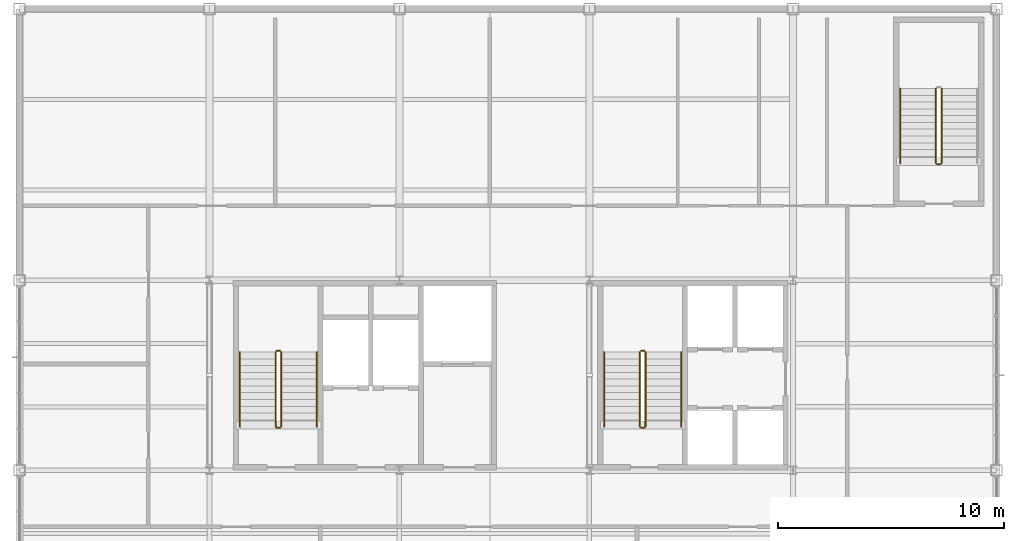
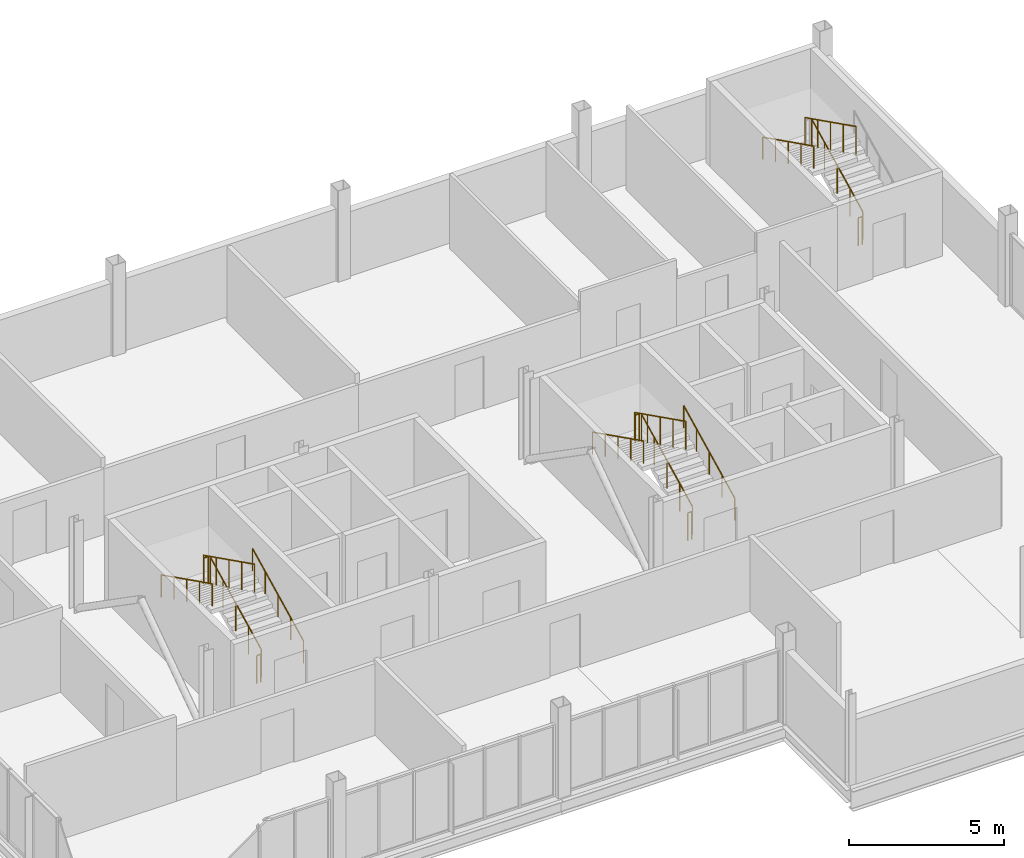
# One storey, part 15 of 16: 16 railings.
"""IFC4 building model written with IfcOpenShell, lengths in metres."""

import ifcopenshell
import ifcopenshell.guid

model = None  # the IFC model being written
_history = None  # IfcOwnerHistory: only IFC2X3 demands one
_inside = {}  # id of a spatial element -> (the spatial element, [elements in it])
_under = {}  # id of a project, library or spatial element -> (it, [spatial elements below it])
_declared = {}  # id of a project -> (the project, [libraries it declares])
_typed = {}  # id of a type object -> (the type object, [elements of that type])
_made_of = {}  # id of a material, layer set ... -> (it, [elements and type objects made of it])


def new_model(schema):
    """Start an empty IFC model of exactly this schema.

    Asked for "IFC4X3", IfcOpenShell would pick the latest addendum, in which some entities
    have other attributes; the version numbers below select the first issue.
    IFC2X3 requires an IfcOwnerHistory on every rooted entity: one is made here for all.
    """
    global model, _history
    if schema == "IFC4X3":
        model = ifcopenshell.file(schema_version=(4, 3, 0, 0))
    else:
        model = ifcopenshell.file(schema=schema)
    _inside.clear()
    _under.clear()
    _declared.clear()
    _typed.clear()
    _made_of.clear()
    _history = None
    if model.schema == "IFC2X3":
        org = make("IfcOrganization", Name="unknown")
        user = make(
            "IfcPersonAndOrganization",
            ThePerson=make("IfcPerson", FamilyName="unknown"),
            TheOrganization=org,
        )
        app = make(
            "IfcApplication",
            ApplicationDeveloper=org,
            Version="unknown",
            ApplicationFullName="unknown",
            ApplicationIdentifier="unknown",
        )
        _history = make(
            "IfcOwnerHistory",
            OwningUser=user,
            OwningApplication=app,
            ChangeAction="ADDED",
            CreationDate=0,
        )
    return model


def make(cls, **values):
    """One entity of the class cls with the attributes given. An attribute that is None is left unset."""
    return model.create_entity(
        cls, **{name: value for name, value in values.items() if value is not None}
    )


def rooted(cls, **values):
    """An entity with a GlobalId (a new one), such as an element, a storey or a relation."""
    return make(cls, GlobalId=ifcopenshell.guid.new(), OwnerHistory=_history, **values)


def si_unit(unit_type, name, prefix=None):
    """IfcSIUnit, for example si_unit("LENGTHUNIT", "METRE", prefix="MILLI")."""
    return make("IfcSIUnit", UnitType=unit_type, Prefix=prefix, Name=name)


def assignment(units):
    """IfcUnitAssignment: the units of a project."""
    return None if units is None else make("IfcUnitAssignment", Units=units)


def point(xyz):
    """IfcCartesianPoint."""
    return None if xyz is None else make("IfcCartesianPoint", Coordinates=xyz)


def direction(xyz):
    """IfcDirection."""
    return None if xyz is None else make("IfcDirection", DirectionRatios=xyz)


def frame(location, z_axis=None, x_axis=None):
    """IfcAxis2Placement3D, a coordinate frame: its origin and axes. An axis left out is left unset."""
    return make(
        "IfcAxis2Placement3D",
        Location=point(location),
        Axis=direction(z_axis),
        RefDirection=direction(x_axis),
    )


def frame_2d(location, x_axis=None):
    """IfcAxis2Placement2D, a coordinate frame in the plane: its origin and x axis."""
    return make(
        "IfcAxis2Placement2D", Location=point(location), RefDirection=direction(x_axis)
    )


def origin():
    """The frame at (0, 0, 0) with its axes left unset."""
    return frame((0.0, 0.0, 0.0))


def origin_2d():
    """The frame at (0, 0) in the plane with its x axis left unset."""
    return frame_2d((0.0, 0.0))


def place(relative_to, where):
    """IfcLocalPlacement: puts the frame where relative to a parent placement (None: the world)."""
    return make(
        "IfcLocalPlacement", PlacementRelTo=relative_to, RelativePlacement=where
    )


def context(
    kind, dimensions, precision=None, world=None, true_north=None, identifier=None
):
    """IfcGeometricRepresentationContext, for example the 3D "Model" context."""
    return make(
        "IfcGeometricRepresentationContext",
        ContextIdentifier=identifier,
        ContextType=kind,
        CoordinateSpaceDimension=dimensions,
        Precision=precision,
        WorldCoordinateSystem=world,
        TrueNorth=true_north,
    )


def subcontext(parent, identifier, kind, view, scale=None):
    """IfcGeometricRepresentationSubContext, for example "Body" below "Model"."""
    return make(
        "IfcGeometricRepresentationSubContext",
        ContextIdentifier=identifier,
        ContextType=kind,
        ParentContext=parent,
        TargetScale=scale,
        TargetView=view,
    )


def project(units=None, contexts=None):
    """IfcProject with its units and contexts."""
    return rooted(
        "IfcProject",
        Name="project",
        RepresentationContexts=contexts,
        UnitsInContext=assignment(units),
    )


def spatial(cls, under=None, at=None, **own):
    """A site, building, storey or space (cls), placed at a placement, below another one or the project."""
    s = rooted(cls, ObjectPlacement=at, **own)
    if under is not None:
        _under.setdefault(under.id(), (under, []))[1].append(s)
    return s


def profile(cls, at=None, kind="AREA", **sizes):
    """A parametric profile (cls). Its sizes go by their IFC names, for example OverallWidth=200.0."""
    return make(cls, ProfileType=kind, Position=at, **sizes)


def circle(**sizes):
    """IfcCircleProfileDef."""
    return profile("IfcCircleProfileDef", **sizes)


def extrude(swept, where, along, depth):
    """IfcExtrudedAreaSolid: the profile swept, set in the frame where, extruded along a direction by depth."""
    return make(
        "IfcExtrudedAreaSolid",
        SweptArea=swept,
        Position=where,
        ExtrudedDirection=direction(along),
        Depth=depth,
    )


def shape(context_of_items, identifier, shape_type, items):
    """IfcShapeRepresentation: the items that make up one representation, for example the "Body"."""
    return make(
        "IfcShapeRepresentation",
        ContextOfItems=context_of_items,
        RepresentationIdentifier=identifier,
        RepresentationType=shape_type,
        Items=items,
    )


def material(Name=None, Category=None):
    """IfcMaterial."""
    return make("IfcMaterial", Name=Name, Category=Category)


def layer(
    of_material, thickness, ventilated=None, Name=None, Category=None, Priority=None
):
    """IfcMaterialLayer: one layer of a wall or slab, of a material (None: an air gap)."""
    return make(
        "IfcMaterialLayer",
        Material=of_material,
        LayerThickness=thickness,
        IsVentilated=ventilated,
        Name=Name,
        Category=Category,
        Priority=Priority,
    )


def layer_set(layers, Name=None):
    """IfcMaterialLayerSet."""
    return make("IfcMaterialLayerSet", MaterialLayers=layers, LayerSetName=Name)


def made_of(thing, what):
    """Note that an element or type object is made of a material, layer set ...; save() writes the relation."""
    if what is not None:
        _made_of.setdefault(what.id(), (what, []))[1].append(thing)
    return thing


def type_object(cls, material=None, **own):
    """A type object (cls), such as IfcWallType, which elements share."""
    return made_of(rooted(cls, **own), material)


def element(
    cls,
    number,
    at=None,
    inside=None,
    cuts=None,
    type_object=None,
    material=None,
    context=None,
    identifier="Body",
    shape_type=None,
    held_by="IfcProductDefinitionShape",
    body=None,
    shapes=None,
    **own,
):
    """One element of the class cls, such as IfcWall. Its Tag is "e" and its number.

    at: its placement. inside: the storey or other place that contains it. cuts: it is an
    opening in that element (IfcRelVoidsElement). A single representation is given by context,
    identifier, shape_type and body (its items); several are given by shapes. held_by: the class
    of the entity that holds the representations. save() writes the other relations.
    """
    e = rooted(cls, Tag="e%d" % number, ObjectPlacement=at, **own)
    if body is not None:
        shapes = [shape(context, identifier, shape_type, body)]
    if shapes is not None:
        e.Representation = make(held_by, Representations=shapes)
    if inside is not None:
        _inside.setdefault(inside.id(), (inside, []))[1].append(e)
    if cuts is not None:
        rooted(
            "IfcRelVoidsElement", RelatingBuildingElement=cuts, RelatedOpeningElement=e
        )
    if type_object is not None:
        _typed.setdefault(type_object.id(), (type_object, []))[1].append(e)
    return made_of(e, material)


def aggregate(whole, parts):
    """IfcRelAggregates: a whole, such as a stair, and the parts it consists of."""
    return rooted("IfcRelAggregates", RelatingObject=whole, RelatedObjects=parts)


def save(model, path):
    """Write the relations noted so far, then the file.

    IfcRelAggregates (storeys below a building ...), IfcRelContainedInSpatialStructure (elements
    in a storey), IfcRelDefinesByType, IfcRelAssociatesMaterial and IfcRelDeclares: one each for
    every whole, place, type object, material and project.
    """
    for whole, parts in _under.values():
        aggregate(whole, parts)
    for where, things in _inside.values():
        rooted(
            "IfcRelContainedInSpatialStructure",
            RelatedElements=things,
            RelatingStructure=where,
        )
    for kind, things in _typed.values():
        rooted("IfcRelDefinesByType", RelatedObjects=things, RelatingType=kind)
    for what, things in _made_of.values():
        rooted("IfcRelAssociatesMaterial", RelatedObjects=things, RelatingMaterial=what)
    for by, libraries in _declared.values():
        rooted("IfcRelDeclares", RelatingContext=by, RelatedDefinitions=libraries)
    model.write(path)


model = new_model("IFC4")

# Units and contexts
model_context = context("Model", 3, precision=1e-05, world=origin(), true_north=direction((0.0, 1.0)))
body_context = subcontext(model_context, "Body", "Model", "MODEL_VIEW")
ifc_project = project(units=[si_unit("LENGTHUNIT", "METRE"), si_unit("AREAUNIT", "SQUARE_METRE"), si_unit("VOLUMEUNIT", "CUBIC_METRE"), si_unit("PLANEANGLEUNIT", "RADIAN"), si_unit("MASSUNIT", "GRAM", prefix="KILO")], contexts=[model_context])

# Site, building, storey
site_placement = place(None, origin())
site = spatial("IfcSite", under=ifc_project, at=site_placement, CompositionType="ELEMENT")
building_placement = place(site_placement, origin())
building = spatial("IfcBuilding", under=site, at=building_placement, Name="Yukiwa Park Conservatory and Herbarium", CompositionType="ELEMENT")
storey_placement = place(building_placement, frame((0.0, 0.0, 39.60009765625)))
storey = spatial("IfcBuildingStorey", under=building, at=storey_placement, Name="L10", CompositionType="ELEMENT", Elevation=39.60009765625)

# Railings
ifc_material_1 = material(Name="Steel Q235B", Category="steel")
ifc_layer_1 = layer(ifc_material_1, 0.050048828125)
ifc_layer_set_1 = layer_set([ifc_layer_1], Name="Steel Q235B")
railing_type_1 = type_object("IfcRailingType", Name="RL-STAIR-GUARD-1120", PredefinedType="BALUSTRADE", material=ifc_layer_set_1)
railing_1_placement = place(storey_placement, frame((136.3701171875, 96.72998046875, 0.14990234375)))
element("IfcRailing", 1, at=railing_1_placement, inside=storey, type_object=railing_type_1, Name="L10 ST-T1 stair guard 1", PredefinedType="BALUSTRADE", context=body_context, shape_type="SweptSolid", body=[
    extrude(circle(Radius=0.02392578125, at=origin_2d()), frame((0.0, 0.0, 1.09619140625), z_axis=(0.0, 0.894440424912, 0.447187126696), x_axis=(-1.0, 0.0, 0.0)), (0.0, 0.0, 1.0), 3.689453125),
    extrude(circle(Radius=0.02099609375, at=origin_2d()), origin(), (0.0, 0.0, 1.0), 1.072021484375),
    extrude(circle(Radius=0.02099609375, at=origin_2d()), frame((0.0, 0.824951171875, 0.41259765625)), (0.0, 0.0, 1.0), 1.072021484375),
    extrude(circle(Radius=0.02099609375, at=origin_2d()), frame((0.0, 1.64990234375, 0.824951171875)), (0.0, 0.0, 1.0), 1.072021484375),
    extrude(circle(Radius=0.02099609375, at=origin_2d()), frame((0.0, 2.47509765625, 1.2373046875)), (0.0, 0.0, 1.0), 1.072021484375),
    extrude(circle(Radius=0.02099609375, at=origin_2d()), frame((0.0, 3.300048828125, 1.64990234375)), (0.0, 0.0, 1.0), 1.072021484375),
])
railing_2_placement = place(storey_placement, frame((136.320068359375, 100.080078125, 1.7998046875)))
element("IfcRailing", 2, at=railing_2_placement, inside=storey, type_object=railing_type_1, Name="L10 ST-T1 stair guard 2", PredefinedType="BALUSTRADE", context=body_context, shape_type="SweptSolid", body=[
    extrude(circle(Radius=0.02392578125, at=origin_2d()), frame((0.0, 0.0, 1.09619140625), z_axis=(-1.0, 0.0, 0.0), x_axis=(0.0, -1.0, 0.0)), (0.0, 0.0, 1.0), 0.150146484375),
    extrude(circle(Radius=0.02099609375, at=origin_2d()), origin(), (0.0, 0.0, 1.0), 1.072021484375),
    extrude(circle(Radius=0.02099609375, at=origin_2d()), frame((-0.150146484375, 0.0, 0.0)), (0.0, 0.0, 1.0), 1.072021484375),
])
railing_3_placement = place(storey_placement, frame((136.1201171875, 100.030029296875, 1.949951171875)))
element("IfcRailing", 3, at=railing_3_placement, inside=storey, type_object=railing_type_1, Name="L10 ST-T1 stair guard 3", PredefinedType="BALUSTRADE", context=body_context, shape_type="SweptSolid", body=[
    extrude(circle(Radius=0.02392578125, at=origin_2d()), frame((0.0, 0.0, 1.09619140625), z_axis=(0.0, -0.894440424912, 0.447187126696), x_axis=(1.0, 0.0, 0.0)), (0.0, 0.0, 1.0), 3.689453125),
    extrude(circle(Radius=0.02099609375, at=origin_2d()), origin(), (0.0, 0.0, 1.0), 1.072021484375),
    extrude(circle(Radius=0.02099609375, at=origin_2d()), frame((0.0, -0.824951171875, 0.41259765625)), (0.0, 0.0, 1.0), 1.072021484375),
    extrude(circle(Radius=0.02099609375, at=origin_2d()), frame((0.0, -1.64990234375, 0.824951171875)), (0.0, 0.0, 1.0), 1.072021484375),
    extrude(circle(Radius=0.02099609375, at=origin_2d()), frame((0.0, -2.47509765625, 1.2373046875)), (0.0, 0.0, 1.0), 1.072021484375),
    extrude(circle(Radius=0.02099609375, at=origin_2d()), frame((0.0, -3.300048828125, 1.64990234375)), (0.0, 0.0, 1.0), 1.072021484375),
])
railing_4_placement = place(storey_placement, frame((136.320068359375, 96.679931640625, 0.0)))
element("IfcRailing", 4, at=railing_4_placement, inside=storey, type_object=railing_type_1, Name="L10 ST-T1 stair guard 4", PredefinedType="BALUSTRADE", context=body_context, shape_type="SweptSolid", body=[
    extrude(circle(Radius=0.02392578125, at=origin_2d()), frame((0.0, 0.0, 1.09619140625), z_axis=(-1.0, 0.0, 0.0), x_axis=(0.0, -1.0, 0.0)), (0.0, 0.0, 1.0), 0.150146484375),
    extrude(circle(Radius=0.02099609375, at=origin_2d()), origin(), (0.0, 0.0, 1.0), 1.072021484375),
    extrude(circle(Radius=0.02099609375, at=origin_2d()), frame((-0.150146484375, 0.0, 0.0)), (0.0, 0.0, 1.0), 1.072021484375),
])
railing_5_placement = place(storey_placement, frame((152.47998046875, 96.72998046875, 0.14990234375)))
element("IfcRailing", 5, at=railing_5_placement, inside=storey, type_object=railing_type_1, Name="L10 ST-T2 stair guard 1", PredefinedType="BALUSTRADE", context=body_context, shape_type="SweptSolid", body=[
    extrude(circle(Radius=0.02392578125, at=origin_2d()), frame((0.0, 0.0, 1.09619140625), z_axis=(0.0, 0.894440424912, 0.447187126696), x_axis=(-1.0, 0.0, 0.0)), (0.0, 0.0, 1.0), 3.689453125),
    extrude(circle(Radius=0.02099609375, at=origin_2d()), origin(), (0.0, 0.0, 1.0), 1.072021484375),
    extrude(circle(Radius=0.02099609375, at=origin_2d()), frame((0.0, 0.824951171875, 0.41259765625)), (0.0, 0.0, 1.0), 1.072021484375),
    extrude(circle(Radius=0.02099609375, at=origin_2d()), frame((0.0, 1.64990234375, 0.824951171875)), (0.0, 0.0, 1.0), 1.072021484375),
    extrude(circle(Radius=0.02099609375, at=origin_2d()), frame((0.0, 2.47509765625, 1.2373046875)), (0.0, 0.0, 1.0), 1.072021484375),
    extrude(circle(Radius=0.02099609375, at=origin_2d()), frame((0.0, 3.300048828125, 1.64990234375)), (0.0, 0.0, 1.0), 1.072021484375),
])
railing_6_placement = place(storey_placement, frame((152.429931640625, 100.080078125, 1.7998046875)))
element("IfcRailing", 6, at=railing_6_placement, inside=storey, type_object=railing_type_1, Name="L10 ST-T2 stair guard 2", PredefinedType="BALUSTRADE", context=body_context, shape_type="SweptSolid", body=[
    extrude(circle(Radius=0.02392578125, at=origin_2d()), frame((0.0, 0.0, 1.09619140625), z_axis=(-1.0, 0.0, 0.0), x_axis=(0.0, -1.0, 0.0)), (0.0, 0.0, 1.0), 0.14990234375),
    extrude(circle(Radius=0.02099609375, at=origin_2d()), origin(), (0.0, 0.0, 1.0), 1.072021484375),
    extrude(circle(Radius=0.02099609375, at=origin_2d()), frame((-0.14990234375, 0.0, 0.0)), (0.0, 0.0, 1.0), 1.072021484375),
])
railing_7_placement = place(storey_placement, frame((152.22998046875, 100.030029296875, 1.949951171875)))
element("IfcRailing", 7, at=railing_7_placement, inside=storey, type_object=railing_type_1, Name="L10 ST-T2 stair guard 3", PredefinedType="BALUSTRADE", context=body_context, shape_type="SweptSolid", body=[
    extrude(circle(Radius=0.02392578125, at=origin_2d()), frame((0.0, 0.0, 1.09619140625), z_axis=(0.0, -0.894440424912, 0.447187126696), x_axis=(1.0, 0.0, 0.0)), (0.0, 0.0, 1.0), 3.689453125),
    extrude(circle(Radius=0.02099609375, at=origin_2d()), origin(), (0.0, 0.0, 1.0), 1.072021484375),
    extrude(circle(Radius=0.02099609375, at=origin_2d()), frame((0.0, -0.824951171875, 0.41259765625)), (0.0, 0.0, 1.0), 1.072021484375),
    extrude(circle(Radius=0.02099609375, at=origin_2d()), frame((0.0, -1.64990234375, 0.824951171875)), (0.0, 0.0, 1.0), 1.072021484375),
    extrude(circle(Radius=0.02099609375, at=origin_2d()), frame((0.0, -2.47509765625, 1.2373046875)), (0.0, 0.0, 1.0), 1.072021484375),
    extrude(circle(Radius=0.02099609375, at=origin_2d()), frame((0.0, -3.300048828125, 1.64990234375)), (0.0, 0.0, 1.0), 1.072021484375),
])
railing_8_placement = place(storey_placement, frame((152.429931640625, 96.679931640625, 0.0)))
element("IfcRailing", 8, at=railing_8_placement, inside=storey, type_object=railing_type_1, Name="L10 ST-T2 stair guard 4", PredefinedType="BALUSTRADE", context=body_context, shape_type="SweptSolid", body=[
    extrude(circle(Radius=0.02392578125, at=origin_2d()), frame((0.0, 0.0, 1.09619140625), z_axis=(-1.0, 0.0, 0.0), x_axis=(0.0, -1.0, 0.0)), (0.0, 0.0, 1.0), 0.14990234375),
    extrude(circle(Radius=0.02099609375, at=origin_2d()), origin(), (0.0, 0.0, 1.0), 1.072021484375),
    extrude(circle(Radius=0.02099609375, at=origin_2d()), frame((-0.14990234375, 0.0, 0.0)), (0.0, 0.0, 1.0), 1.072021484375),
])
railing_9_placement = place(storey_placement, frame((165.570068359375, 108.3798828125, 0.14990234375)))
element("IfcRailing", 9, at=railing_9_placement, inside=storey, type_object=railing_type_1, Name="L10 ST-T3 stair guard 1", PredefinedType="BALUSTRADE", context=body_context, shape_type="SweptSolid", body=[
    extrude(circle(Radius=0.02392578125, at=origin_2d()), frame((0.0, 0.0, 1.09619140625), z_axis=(0.0, 0.894440424912, 0.447187126696), x_axis=(-1.0, 0.0, 0.0)), (0.0, 0.0, 1.0), 3.689453125),
    extrude(circle(Radius=0.02099609375, at=origin_2d()), origin(), (0.0, 0.0, 1.0), 1.072021484375),
    extrude(circle(Radius=0.02099609375, at=origin_2d()), frame((0.0, 0.824951171875, 0.41259765625)), (0.0, 0.0, 1.0), 1.072021484375),
    extrude(circle(Radius=0.02099609375, at=origin_2d()), frame((0.0, 1.64990234375, 0.824951171875)), (0.0, 0.0, 1.0), 1.072021484375),
    extrude(circle(Radius=0.02099609375, at=origin_2d()), frame((0.0, 2.47509765625, 1.2373046875)), (0.0, 0.0, 1.0), 1.072021484375),
    extrude(circle(Radius=0.02099609375, at=origin_2d()), frame((0.0, 3.300048828125, 1.64990234375)), (0.0, 0.0, 1.0), 1.072021484375),
])
railing_10_placement = place(storey_placement, frame((165.320068359375, 111.679931640625, 1.949951171875)))
element("IfcRailing", 10, at=railing_10_placement, inside=storey, type_object=railing_type_1, Name="L10 ST-T3 stair guard 3", PredefinedType="BALUSTRADE", context=body_context, shape_type="SweptSolid", body=[
    extrude(circle(Radius=0.02392578125, at=origin_2d()), frame((0.0, 0.0, 1.09619140625), z_axis=(0.0, -0.894440424912, 0.447187126696), x_axis=(1.0, 0.0, 0.0)), (0.0, 0.0, 1.0), 3.689453125),
    extrude(circle(Radius=0.02099609375, at=origin_2d()), origin(), (0.0, 0.0, 1.0), 1.072021484375),
    extrude(circle(Radius=0.02099609375, at=origin_2d()), frame((0.0, -0.824951171875, 0.41259765625)), (0.0, 0.0, 1.0), 1.072021484375),
    extrude(circle(Radius=0.02099609375, at=origin_2d()), frame((0.0, -1.64990234375, 0.824951171875)), (0.0, 0.0, 1.0), 1.072021484375),
    extrude(circle(Radius=0.02099609375, at=origin_2d()), frame((0.0, -2.47509765625, 1.2373046875)), (0.0, 0.0, 1.0), 1.072021484375),
    extrude(circle(Radius=0.02099609375, at=origin_2d()), frame((0.0, -3.300048828125, 1.64990234375)), (0.0, 0.0, 1.0), 1.072021484375),
])
railing_11_placement = place(storey_placement, frame((165.52001953125, 108.330078125, 0.0)))
element("IfcRailing", 11, at=railing_11_placement, inside=storey, type_object=railing_type_1, Name="L10 ST-T3 stair guard 4", PredefinedType="BALUSTRADE", context=body_context, shape_type="SweptSolid", body=[
    extrude(circle(Radius=0.02392578125, at=origin_2d()), frame((0.0, 0.0, 1.09619140625), z_axis=(-1.0, 0.0, 0.0), x_axis=(0.0, -1.0, 0.0)), (0.0, 0.0, 1.0), 0.14990234375),
    extrude(circle(Radius=0.02099609375, at=origin_2d()), origin(), (0.0, 0.0, 1.0), 1.072021484375),
    extrude(circle(Radius=0.02099609375, at=origin_2d()), frame((-0.14990234375, 0.0, 0.0)), (0.0, 0.0, 1.0), 1.072021484375),
])
ifc_material_2 = material(Name="Steel Q235B", Category="steel")
ifc_layer_2 = layer(ifc_material_2, 0.044921875)
ifc_layer_set_2 = layer_set([ifc_layer_2], Name="Steel Q235B")
railing_type_2 = type_object("IfcRailingType", Name="RL-STAIR-RAIL-900", PredefinedType="HANDRAIL", material=ifc_layer_set_2)
railing_12_placement = place(storey_placement, frame((137.949951171875, 96.72998046875, 0.14990234375)))
element("IfcRailing", 12, at=railing_12_placement, inside=storey, type_object=railing_type_2, Name="L10 ST-T1 stair handrail 1", PredefinedType="HANDRAIL", context=body_context, shape_type="SweptSolid", body=[
    extrude(circle(Radius=0.02392578125, at=origin_2d()), frame((0.0, 0.0, 0.8759765625), z_axis=(0.0, 0.894440424912, 0.447187126696), x_axis=(-1.0, 0.0, 0.0)), (0.0, 0.0, 1.0), 3.689453125),
    extrude(circle(Radius=0.02099609375, at=origin_2d()), origin(), (0.0, 0.0, 1.0), 0.851806640625),
    extrude(circle(Radius=0.02099609375, at=origin_2d()), frame((0.0, 0.824951171875, 0.41259765625)), (0.0, 0.0, 1.0), 0.851806640625),
    extrude(circle(Radius=0.02099609375, at=origin_2d()), frame((0.0, 1.64990234375, 0.824951171875)), (0.0, 0.0, 1.0), 0.851806640625),
    extrude(circle(Radius=0.02099609375, at=origin_2d()), frame((0.0, 2.47509765625, 1.2373046875)), (0.0, 0.0, 1.0), 0.851806640625),
    extrude(circle(Radius=0.02099609375, at=origin_2d()), frame((0.0, 3.300048828125, 1.64990234375)), (0.0, 0.0, 1.0), 0.851806640625),
])
railing_13_placement = place(storey_placement, frame((134.5400390625, 100.030029296875, 1.949951171875)))
element("IfcRailing", 13, at=railing_13_placement, inside=storey, type_object=railing_type_2, Name="L10 ST-T1 stair handrail 2", PredefinedType="HANDRAIL", context=body_context, shape_type="SweptSolid", body=[
    extrude(circle(Radius=0.02392578125, at=origin_2d()), frame((0.0, 0.0, 0.8759765625), z_axis=(0.0, -0.894440424912, 0.447187126696), x_axis=(1.0, 0.0, 0.0)), (0.0, 0.0, 1.0), 3.689453125),
    extrude(circle(Radius=0.02099609375, at=origin_2d()), origin(), (0.0, 0.0, 1.0), 0.851806640625),
    extrude(circle(Radius=0.02099609375, at=origin_2d()), frame((0.0, -0.824951171875, 0.41259765625)), (0.0, 0.0, 1.0), 0.851806640625),
    extrude(circle(Radius=0.02099609375, at=origin_2d()), frame((0.0, -1.64990234375, 0.824951171875)), (0.0, 0.0, 1.0), 0.851806640625),
    extrude(circle(Radius=0.02099609375, at=origin_2d()), frame((0.0, -2.47509765625, 1.2373046875)), (0.0, 0.0, 1.0), 0.851806640625),
    extrude(circle(Radius=0.02099609375, at=origin_2d()), frame((0.0, -3.300048828125, 1.64990234375)), (0.0, 0.0, 1.0), 0.851806640625),
])
railing_14_placement = place(storey_placement, frame((154.06005859375, 96.72998046875, 0.14990234375)))
element("IfcRailing", 14, at=railing_14_placement, inside=storey, type_object=railing_type_2, Name="L10 ST-T2 stair handrail 1", PredefinedType="HANDRAIL", context=body_context, shape_type="SweptSolid", body=[
    extrude(circle(Radius=0.02392578125, at=origin_2d()), frame((0.0, 0.0, 0.8759765625), z_axis=(0.0, 0.894440424912, 0.447187126696), x_axis=(-1.0, 0.0, 0.0)), (0.0, 0.0, 1.0), 3.689453125),
    extrude(circle(Radius=0.02099609375, at=origin_2d()), origin(), (0.0, 0.0, 1.0), 0.851806640625),
    extrude(circle(Radius=0.02099609375, at=origin_2d()), frame((0.0, 0.824951171875, 0.41259765625)), (0.0, 0.0, 1.0), 0.851806640625),
    extrude(circle(Radius=0.02099609375, at=origin_2d()), frame((0.0, 1.64990234375, 0.824951171875)), (0.0, 0.0, 1.0), 0.851806640625),
    extrude(circle(Radius=0.02099609375, at=origin_2d()), frame((0.0, 2.47509765625, 1.2373046875)), (0.0, 0.0, 1.0), 0.851806640625),
    extrude(circle(Radius=0.02099609375, at=origin_2d()), frame((0.0, 3.300048828125, 1.64990234375)), (0.0, 0.0, 1.0), 0.851806640625),
])
for number, where, name in (
    (15, (150.64990234375, 100.030029296875, 1.949951171875), "L10 ST-T2 stair handrail 2"),
    (16, (163.739990234375, 111.679931640625, 1.949951171875), "L10 ST-T3 stair handrail 2"),
):
    element("IfcRailing", number, at=place(storey_placement, frame(where)), inside=storey, type_object=railing_type_2, Name=name, PredefinedType="HANDRAIL", context=body_context, shape_type="SweptSolid", body=[
        extrude(circle(Radius=0.02392578125, at=origin_2d()), frame((0.0, 0.0, 0.8759765625), z_axis=(0.0, -0.894440424912, 0.447187126696), x_axis=(1.0, 0.0, 0.0)), (0.0, 0.0, 1.0), 3.689453125),
        extrude(circle(Radius=0.02099609375, at=origin_2d()), origin(), (0.0, 0.0, 1.0), 0.851806640625),
        extrude(circle(Radius=0.02099609375, at=origin_2d()), frame((0.0, -0.824951171875, 0.41259765625)), (0.0, 0.0, 1.0), 0.851806640625),
        extrude(circle(Radius=0.02099609375, at=origin_2d()), frame((0.0, -1.64990234375, 0.824951171875)), (0.0, 0.0, 1.0), 0.851806640625),
        extrude(circle(Radius=0.02099609375, at=origin_2d()), frame((0.0, -2.47509765625, 1.2373046875)), (0.0, 0.0, 1.0), 0.851806640625),
        extrude(circle(Radius=0.02099609375, at=origin_2d()), frame((0.0, -3.300048828125, 1.64990234375)), (0.0, 0.0, 1.0), 0.851806640625),
    ])

save(model, "model.ifc")
